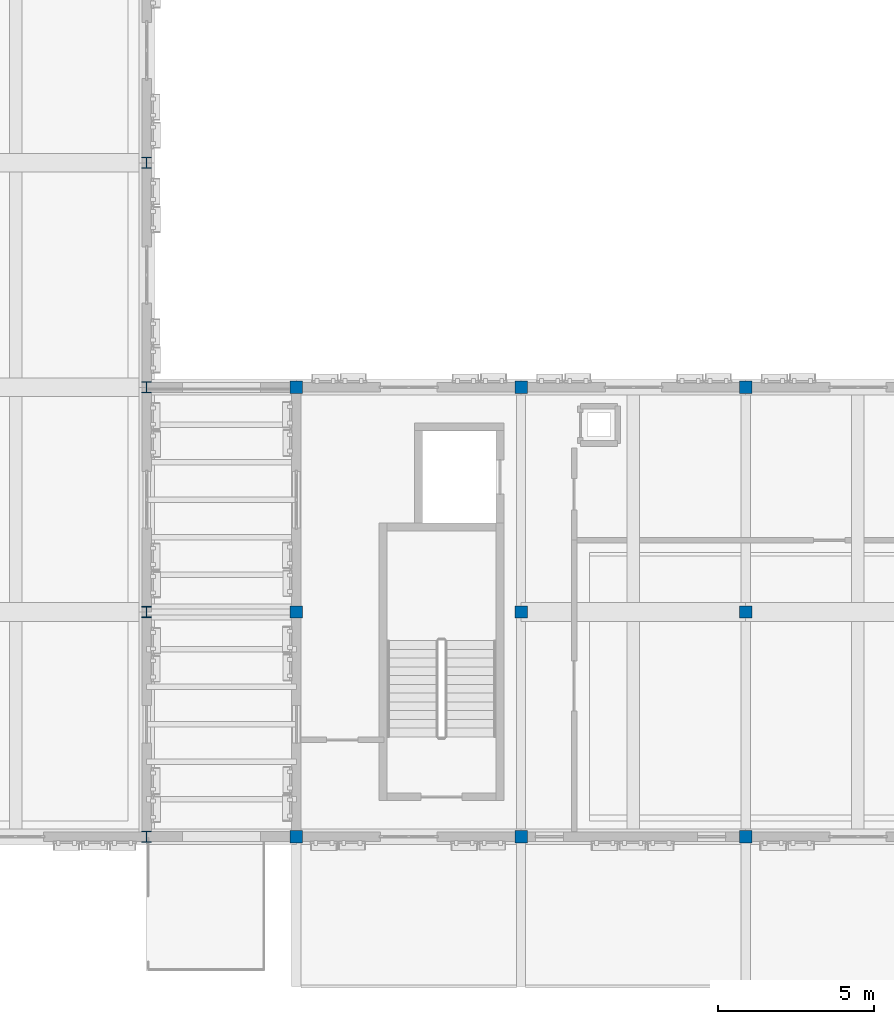
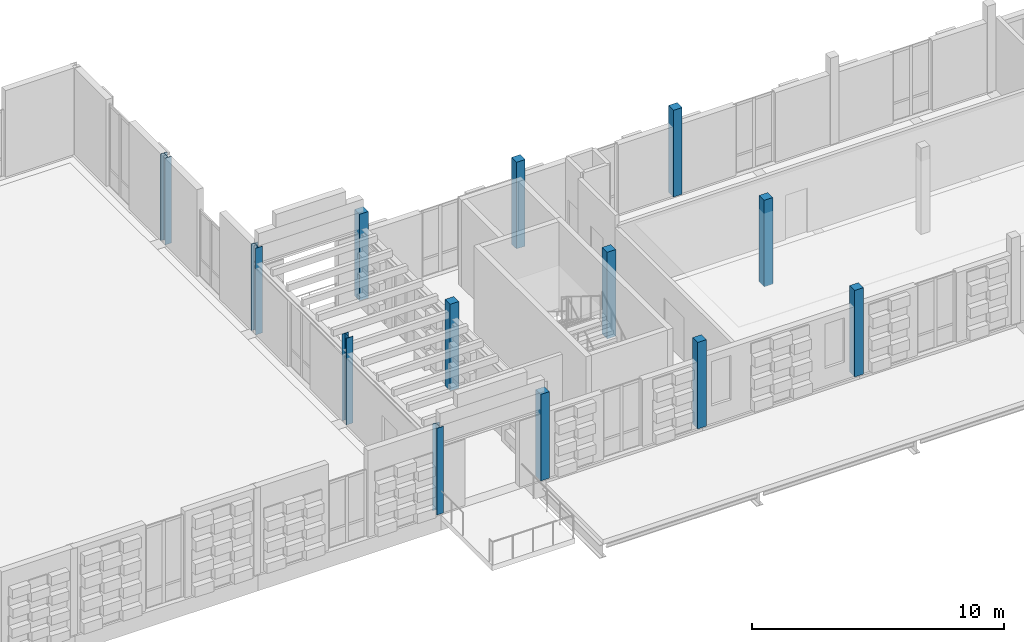
# One storey, part 2 of 99: 13 columns.
"""IFC4 building model written with IfcOpenShell, lengths in metres."""

from ifc_helpers import new_model, si_unit, direction, frame, origin, origin_2d, place, context, subcontext, project, spatial, rectangle, i_section, extrude, material, material_profile, profile_set, type_object, element, save


model = new_model("IFC4")

# Units and contexts
model_context = context("Model", 3, precision=1e-05, world=origin(), true_north=direction((0.0, 1.0)))
body_context = subcontext(model_context, "Body", "Model", "MODEL_VIEW")
ifc_project = project(units=[si_unit("LENGTHUNIT", "METRE"), si_unit("AREAUNIT", "SQUARE_METRE"), si_unit("VOLUMEUNIT", "CUBIC_METRE"), si_unit("PLANEANGLEUNIT", "RADIAN"), si_unit("MASSUNIT", "GRAM", prefix="KILO")], contexts=[model_context])

# Site, building, storey
site_placement = place(None, origin())
site = spatial("IfcSite", under=ifc_project, at=site_placement, CompositionType="ELEMENT")
building_placement = place(site_placement, origin())
building = spatial("IfcBuilding", under=site, at=building_placement, Name="Kahlenmark Community Centre", CompositionType="ELEMENT")
storey_placement = place(building_placement, frame((0.0, 0.0, 5.39990234375)))
storey = spatial("IfcBuildingStorey", under=building, at=storey_placement, Name="L01", CompositionType="ELEMENT", Elevation=5.39990234375)

# Columns
ifc_material_1 = material(Name="Glulam GL32h", Category="wood")
ifc_material_profile_1 = material_profile(ifc_material_1, rectangle(XDim=0.39990234375, YDim=0.39990234375, at=origin_2d()), Name="GL32h 400x400")
ifc_profile_set_1 = profile_set([ifc_material_profile_1], Name="Glulam GL32h")
column_type_1 = type_object("IfcColumnType", Name="CT-GL400", PredefinedType="COLUMN", material=ifc_profile_set_1)
for number, where, z_axis, x_axis, name in (
    (1, (50.800048828125, 8.800048828125, 0.0), (0.0, 0.0, 1.0), (1.0, 0.0, 0.0), "L01 column (50.8, 8.8)"),
    (2, (50.800048828125, 16.0, 0.0), (0.0, 0.0, 1.0), (1.0, 0.0, 0.0), "L01 column (50.8, 16.0)"),
    (3, (50.800048828125, 23.199951171875, 0.0), (0.0, 0.0, 1.0), (1.0, 0.0, 0.0), "L01 column (50.8, 23.2)"),
    (4, (58.0, 8.800048828125, 0.0), (0.0, 0.0, 1.0), (1.0, 0.0, 0.0), "L01 column (58.0, 8.8)"),
    (5, (58.0, 16.0, 0.0), (0.0, 0.0, 1.0), (1.0, 0.0, 0.0), "L01 column (58.0, 16.0)"),
    (6, (58.0, 23.199951171875, 0.0), (0.0, 0.0, 1.0), (1.0, 0.0, 0.0), "L01 column (58.0, 23.2)"),
    (7, (65.199951171875, 8.800048828125, 0.0), (0.0, 0.0, 1.0), (1.0, 0.0, 0.0), "L01 column (65.2, 8.8)"),
    (8, (65.199951171875, 16.0, 0.0), (0.0, 0.0, 1.0), (1.0, 0.0, 0.0), "L01 column (65.2, 16.0)"),
    (9, (65.199951171875, 23.199951171875, 0.0), (0.0, 0.0, 1.0), (1.0, 0.0, 0.0), "L01 column (65.2, 23.2)"),
):
    element("IfcColumn", number, at=place(storey_placement, frame(where, z_axis=z_axis, x_axis=x_axis)), inside=storey, type_object=column_type_1, Name=name, PredefinedType="COLUMN", context=body_context, shape_type="SweptSolid", body=[
        extrude(rectangle(XDim=0.39990234375, YDim=0.39990234375, at=origin_2d()), origin(), (0.0, 0.0, 1.0), 4.2001953125),
    ])
ifc_material_2 = material(Name="Steel S355", Category="steel")
ifc_material_profile_2 = material_profile(ifc_material_2, i_section(OverallWidth=0.300048828125, OverallDepth=0.360107421875, WebThickness=0.012451171875, FlangeThickness=0.0224609375, at=origin_2d()), Name="HEB 360")
ifc_profile_set_2 = profile_set([ifc_material_profile_2], Name="Steel S355")
column_type_2 = type_object("IfcColumnType", Name="CT-HEB360", PredefinedType="COLUMN", material=ifc_profile_set_2)
for number, where, z_axis, x_axis, name in (
    (10, (46.0, 8.800048828125, 0.0), (0.0, 0.0, 1.0), (1.0, 0.0, 0.0), "L01 column (46.0, 8.8)"),
    (11, (46.0, 16.0, 0.0), (0.0, 0.0, 1.0), (1.0, 0.0, 0.0), "L01 column (46.0, 16.0)"),
    (12, (46.0, 23.199951171875, 0.0), (0.0, 0.0, 1.0), (1.0, 0.0, 0.0), "L01 column (46.0, 23.2)"),
    (13, (46.0, 30.39990234375, 0.0), (0.0, 0.0, 1.0), (1.0, 0.0, 0.0), "L01 column (46.0, 30.4)"),
):
    element("IfcColumn", number, at=place(storey_placement, frame(where, z_axis=z_axis, x_axis=x_axis)), inside=storey, type_object=column_type_2, Name=name, PredefinedType="COLUMN", context=body_context, shape_type="SweptSolid", body=[
        extrude(i_section(OverallWidth=0.300048828125, OverallDepth=0.360107421875, WebThickness=0.012451171875, FlangeThickness=0.0224609375, at=origin_2d()), origin(), (0.0, 0.0, 1.0), 4.2001953125),
    ])

save(model, "model.ifc")
